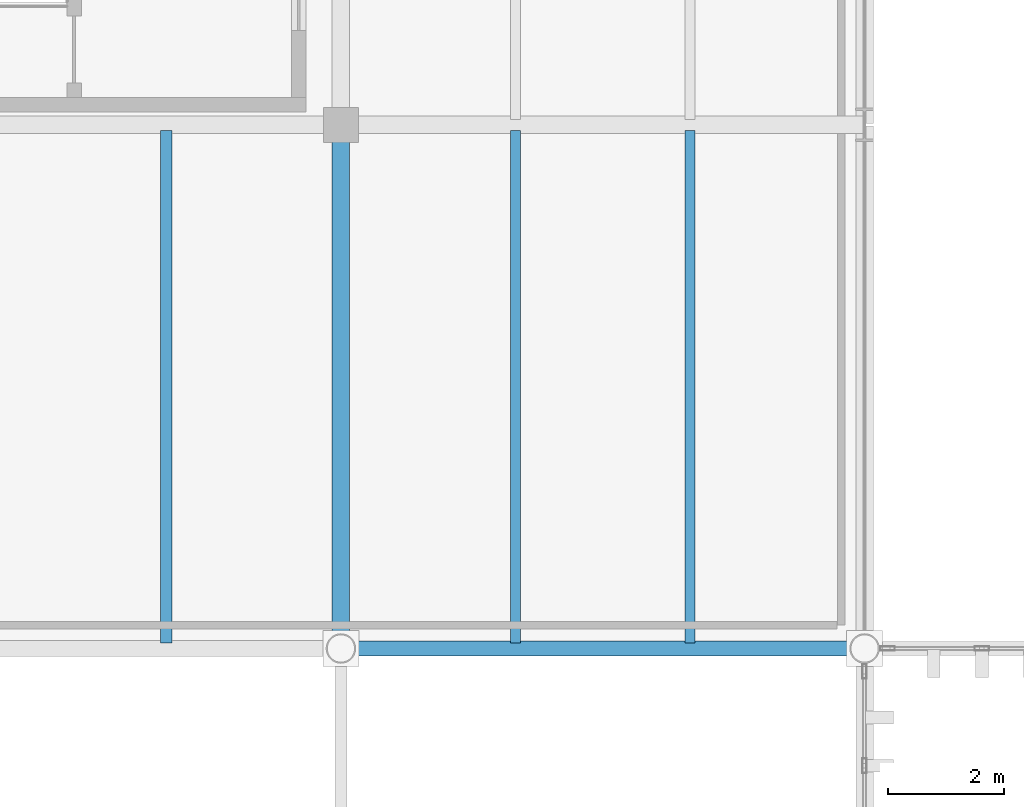
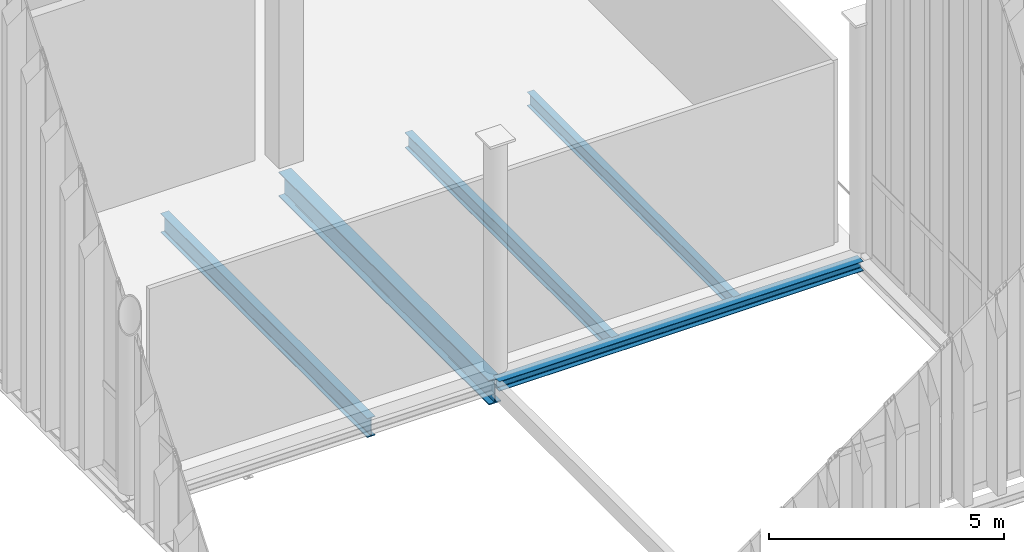
# One storey, part 31 of 237: 5 beams.
"""IFC4 building model written with IfcOpenShell, lengths in metres."""

from ifc_helpers import new_model, si_unit, direction, frame, origin, origin_2d, place, context, subcontext, project, spatial, i_section, extrude, material, material_profile, profile_set, type_object, element, save


model = new_model("IFC4")

# Units and contexts
model_context = context("Model", 3, precision=1e-05, world=origin(), true_north=direction((0.0, 1.0)))
body_context = subcontext(model_context, "Body", "Model", "MODEL_VIEW")
ifc_project = project(units=[si_unit("LENGTHUNIT", "METRE"), si_unit("AREAUNIT", "SQUARE_METRE"), si_unit("VOLUMEUNIT", "CUBIC_METRE"), si_unit("PLANEANGLEUNIT", "RADIAN"), si_unit("MASSUNIT", "GRAM", prefix="KILO")], contexts=[model_context])

# Site, building, storey
site_placement = place(None, origin())
site = spatial("IfcSite", under=ifc_project, at=site_placement, CompositionType="ELEMENT")
building_placement = place(site_placement, origin())
building = spatial("IfcBuilding", under=site, at=building_placement, Name="Barlavento Convention Centre", CompositionType="ELEMENT")
storey_placement = place(building_placement, frame((0.0, 0.0, 12.0)))
storey = spatial("IfcBuildingStorey", under=building, at=storey_placement, Name="L02", CompositionType="ELEMENT", Elevation=12.0)

# Beams
ifc_material = material(Name="Steel S355", Category="steel")
ifc_material_profile_1 = material_profile(ifc_material, i_section(OverallWidth=0.169921875, OverallDepth=0.360107421875, WebThickness=0.008056640625, FlangeThickness=0.0126953125, FilletRadius=0.01806640625, at=origin_2d()), Name="IPE 360")
ifc_profile_set_1 = profile_set([ifc_material_profile_1], Name="Steel S355")
beam_type_1 = type_object("IfcBeamType", Name="STR-BM-JST-IPE360", PredefinedType="JOIST", material=ifc_profile_set_1)
beam_1_placement = place(storey_placement, frame((15.0, 9.094970703125, -0.47998046875), z_axis=(0.0, 1.0, 0.0), x_axis=(-1.0, 0.0, 0.0)))
element("IfcBeam", 1, at=beam_1_placement, inside=storey, type_object=beam_type_1, Name="L02 composite floor joist SJ05", PredefinedType="JOIST", context=body_context, shape_type="SweptSolid", body=[
    extrude(i_section(OverallWidth=0.169921875, OverallDepth=0.360107421875, WebThickness=0.008056640625, FlangeThickness=0.0126953125, FilletRadius=0.01806640625, at=origin_2d()), origin(), (0.0, 0.0, 1.0), 8.81005859375),
])
ifc_material_profile_2 = material_profile(ifc_material, i_section(OverallWidth=0.179931640625, OverallDepth=0.39990234375, WebThickness=0.008544921875, FlangeThickness=0.013427734375, FilletRadius=0.02099609375, at=origin_2d()), Name="IPE 400")
ifc_profile_set_2 = profile_set([ifc_material_profile_2], Name="Steel S355")
beam_type_2 = type_object("IfcBeamType", Name="STR-BM-JST-IPE400", PredefinedType="JOIST", material=ifc_profile_set_2)
beam_2_placement = place(storey_placement, frame((12.0, 9.094970703125, -0.5), z_axis=(0.0, 1.0, 0.0), x_axis=(-1.0, 0.0, 0.0)))
element("IfcBeam", 2, at=beam_2_placement, inside=storey, type_object=beam_type_2, Name="L02 composite floor joist SJ04", PredefinedType="JOIST", context=body_context, shape_type="SweptSolid", body=[
    extrude(i_section(OverallWidth=0.179931640625, OverallDepth=0.39990234375, WebThickness=0.008544921875, FlangeThickness=0.013427734375, FilletRadius=0.02099609375, at=origin_2d()), origin(), (0.0, 0.0, 1.0), 8.81005859375),
])
ifc_material_profile_3 = material_profile(ifc_material, i_section(OverallWidth=0.199951171875, OverallDepth=0.5, WebThickness=0.01025390625, FlangeThickness=0.01611328125, FilletRadius=0.02099609375, at=origin_2d()), Name="IPE 500")
ifc_profile_set_3 = profile_set([ifc_material_profile_3], Name="Steel S355")
beam_type_3 = type_object("IfcBeamType", Name="STR-BM-JST-IPE500", PredefinedType="JOIST", material=ifc_profile_set_3)
beam_3_placement = place(storey_placement, frame((6.0, 9.094970703125, -0.550048828125), z_axis=(0.0, 1.0, 0.0), x_axis=(-1.0, 0.0, 0.0)))
element("IfcBeam", 3, at=beam_3_placement, inside=storey, type_object=beam_type_3, Name="L02 composite floor joist SJ02", PredefinedType="JOIST", context=body_context, shape_type="SweptSolid", body=[
    extrude(i_section(OverallWidth=0.199951171875, OverallDepth=0.5, WebThickness=0.01025390625, FlangeThickness=0.01611328125, FilletRadius=0.02099609375, at=origin_2d()), origin(), (0.0, 0.0, 1.0), 8.81005859375),
])
ifc_material_profile_4 = material_profile(ifc_material, i_section(OverallWidth=0.300048828125, OverallDepth=0.639892578125, WebThickness=0.013427734375, FlangeThickness=0.02587890625, FilletRadius=0.027099609375, at=origin_2d()), Name="HEA 650")
ifc_profile_set_4 = profile_set([ifc_material_profile_4], Name="Steel S355")
beam_type_4 = type_object("IfcBeamType", Name="STR-BM-PRI-HEA650", PredefinedType="BEAM", material=ifc_profile_set_4)
beam_4_placement = place(storey_placement, frame((9.0, 9.02001953125, -0.6201171875), z_axis=(0.0, 1.0, 0.0), x_axis=(-1.0, 0.0, 0.0)))
element("IfcBeam", 4, at=beam_4_placement, inside=storey, type_object=beam_type_4, Name="L02 grid girder BG17", PredefinedType="BEAM", context=body_context, shape_type="SweptSolid", body=[
    extrude(i_section(OverallWidth=0.300048828125, OverallDepth=0.639892578125, WebThickness=0.013427734375, FlangeThickness=0.02587890625, FilletRadius=0.027099609375, at=origin_2d()), origin(), (0.0, 0.0, 1.0), 8.9599609375),
])
ifc_material_profile_5 = material_profile(ifc_material, i_section(OverallWidth=0.260009765625, OverallDepth=0.25, WebThickness=0.007568359375, FlangeThickness=0.012451171875, FilletRadius=0.02392578125, at=origin_2d()), Name="HEA 260")
ifc_profile_set_5 = profile_set([ifc_material_profile_5], Name="Steel S355")
beam_type_5 = type_object("IfcBeamType", Name="STR-BM-SPN-HEA260", PredefinedType="SPANDREL", material=ifc_profile_set_5)
beam_5_placement = place(storey_placement, frame((9.02001953125, 9.0, -0.425048828125), z_axis=(1.0, 0.0, 0.0), x_axis=(0.0, 1.0, 0.0)))
element("IfcBeam", 5, at=beam_5_placement, inside=storey, type_object=beam_type_5, Name="L02 primary girder SP04", PredefinedType="SPANDREL", context=body_context, shape_type="SweptSolid", body=[
    extrude(i_section(OverallWidth=0.260009765625, OverallDepth=0.25, WebThickness=0.007568359375, FlangeThickness=0.012451171875, FilletRadius=0.02392578125, at=origin_2d()), origin(), (0.0, 0.0, 1.0), 8.9599609375),
])

save(model, "model.ifc")
